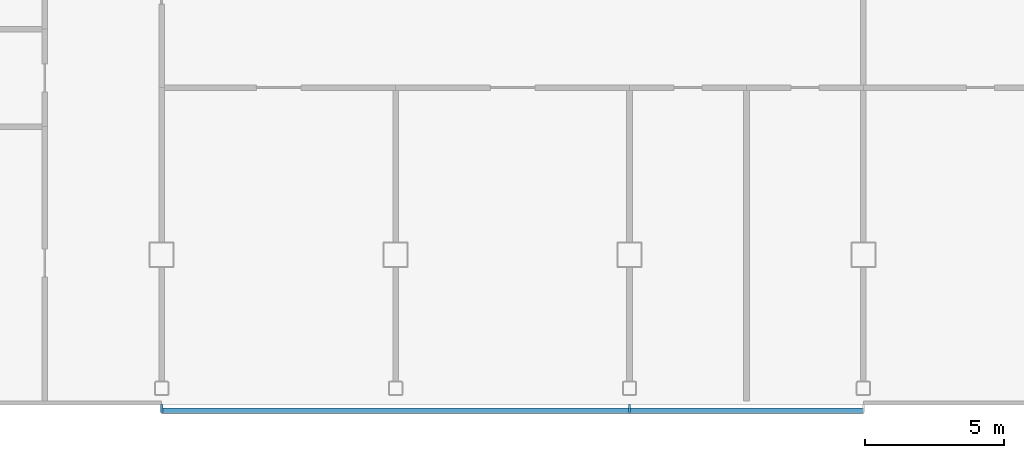
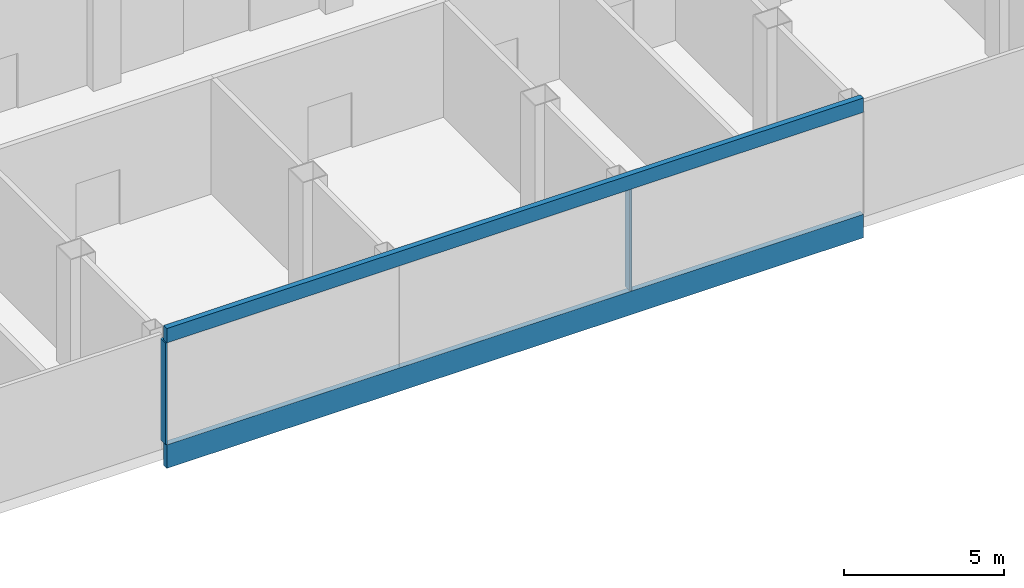
# One storey, part 6 of 53: 4 members, 1 element without a shape of its own.
"""IFC4 building model written with IfcOpenShell, lengths in metres."""

from ifc_helpers import new_model, si_unit, direction, frame, origin, origin_2d, place, context, subcontext, project, spatial, rectangle, extrude, material, layer, layer_set, material_profile, profile_set, type_object, element, aggregate, save


model = new_model("IFC4")

# Units and contexts
model_context = context("Model", 3, precision=1e-05, world=origin(), true_north=direction((0.0, 1.0)))
body_context = subcontext(model_context, "Body", "Model", "MODEL_VIEW")
ifc_project = project(units=[si_unit("LENGTHUNIT", "METRE"), si_unit("AREAUNIT", "SQUARE_METRE"), si_unit("VOLUMEUNIT", "CUBIC_METRE"), si_unit("PLANEANGLEUNIT", "RADIAN"), si_unit("MASSUNIT", "GRAM", prefix="KILO")], contexts=[model_context])

# Site, building, storey
site_placement = place(None, origin())
site = spatial("IfcSite", under=ifc_project, at=site_placement, CompositionType="ELEMENT")
building_placement = place(site_placement, origin())
building = spatial("IfcBuilding", under=site, at=building_placement, Name="Hakoniwa Tower and Hamabe Station Hall", CompositionType="ELEMENT")
storey_placement = place(building_placement, frame((0.0, 0.0, 15.0)))
storey = spatial("IfcBuildingStorey", under=building, at=storey_placement, Name="L03", CompositionType="ELEMENT", Elevation=15.0)

# Curtain wall, members
ifc_material_1 = material(Name="Dark low-e laminated glass", Category="glass")
ifc_layer = layer(ifc_material_1, 0.199951171875)
ifc_layer_set = layer_set([ifc_layer], Name="CW-3 PODIUM LOBBY")
curtain_wall_type = type_object("IfcCurtainWallType", Name="CW-3 PODIUM LOBBY", PredefinedType="NOTDEFINED", material=ifc_layer_set)
curtain_wall_placement = place(storey_placement, origin())
curtain_wall = element("IfcCurtainWall", 1, at=curtain_wall_placement, inside=storey, type_object=curtain_wall_type, Name="Podium curtain wall L03 south 2", PredefinedType="NOTDEFINED")
ifc_material_2 = material(Name="Aluminium 6063-T5 black anodised", Category="aluminium")
ifc_material_profile_1 = material_profile(ifc_material_2, rectangle(XDim=0.199951171875, YDim=0.550048828125, at=origin_2d()), Name="CW HEAD BAND 550X200")
ifc_profile_set_1 = profile_set([ifc_material_profile_1], Name="Aluminium 6063-T5 black anodised")
member_type_1 = type_object("IfcMemberType", Name="CW HEAD BAND 550X200", PredefinedType="USERDEFINED", material=ifc_profile_set_1)
member_1_placement = place(storey_placement, frame((-8.39990234375, -25.199951171875, 4.52490234375), z_axis=(1.0, 0.0, 0.0), x_axis=(0.0, 1.0, 0.0)))
member_1 = element("IfcMember", 2, at=member_1_placement, type_object=member_type_1, Name="CW-3 transom", ObjectType="TRANSOM", PredefinedType="USERDEFINED", context=body_context, shape_type="SweptSolid", body=[
    extrude(rectangle(XDim=0.199951171875, YDim=0.550048828125, at=origin_2d()), origin(), (0.0, 0.0, 1.0), 25.199951171875),
])
ifc_material_3 = material(Name="Aluminium 6063-T5 black anodised", Category="aluminium")
ifc_material_profile_2 = material_profile(ifc_material_3, rectangle(XDim=0.199951171875, YDim=0.89990234375, at=origin_2d()), Name="CW SLAB-EDGE BAND 900X200")
ifc_profile_set_2 = profile_set([ifc_material_profile_2], Name="Aluminium 6063-T5 black anodised")
member_type_2 = type_object("IfcMemberType", Name="CW SLAB-EDGE BAND 900X200", PredefinedType="USERDEFINED", material=ifc_profile_set_2)
member_2_placement = place(storey_placement, frame((-8.39990234375, -25.199951171875, -0.10009765625), z_axis=(1.0, 0.0, 0.0), x_axis=(0.0, 1.0, 0.0)))
member_2 = element("IfcMember", 3, at=member_2_placement, type_object=member_type_2, Name="CW-3 transom", ObjectType="TRANSOM", PredefinedType="USERDEFINED", context=body_context, shape_type="SweptSolid", body=[
    extrude(rectangle(XDim=0.199951171875, YDim=0.89990234375, at=origin_2d()), origin(), (0.0, 0.0, 1.0), 25.199951171875),
])
ifc_material_4 = material(Name="Aluminium 6063-T5 black anodised", Category="aluminium")
ifc_material_profile_3 = material_profile(ifc_material_4, rectangle(XDim=0.080078125, YDim=0.300048828125, at=origin_2d()), Name="CW-3 MULLION 80X300")
ifc_profile_set_3 = profile_set([ifc_material_profile_3], Name="Aluminium 6063-T5 black anodised")
member_type_3 = type_object("IfcMemberType", Name="CW-3 MULLION 80X300", PredefinedType="MULLION", material=ifc_profile_set_3)
member_3_placement = place(storey_placement, frame((-8.39990234375, -25.1220703125, 0.35009765625), z_axis=(0.0, 0.0, 1.0), x_axis=(1.0, 0.0, 0.0)))
member_3 = element("IfcMember", 4, at=member_3_placement, type_object=member_type_3, Name="CW-3 mullion", PredefinedType="MULLION", context=body_context, shape_type="SweptSolid", body=[
    extrude(rectangle(XDim=0.080078125, YDim=0.300048828125, at=origin_2d()), origin(), (0.0, 0.0, 1.0), 3.89990234375),
])
member_4_placement = place(storey_placement, frame((8.39990234375, -25.1220703125, 0.35009765625), z_axis=(0.0, 0.0, 1.0), x_axis=(1.0, 0.0, 0.0)))
member_4 = element("IfcMember", 5, at=member_4_placement, type_object=member_type_3, Name="CW-3 mullion", PredefinedType="MULLION", context=body_context, shape_type="SweptSolid", body=[
    extrude(rectangle(XDim=0.080078125, YDim=0.300048828125, at=origin_2d()), origin(), (0.0, 0.0, 1.0), 3.89990234375),
])
aggregate(curtain_wall, [member_3, member_4, member_2, member_1])

save(model, "model.ifc")
